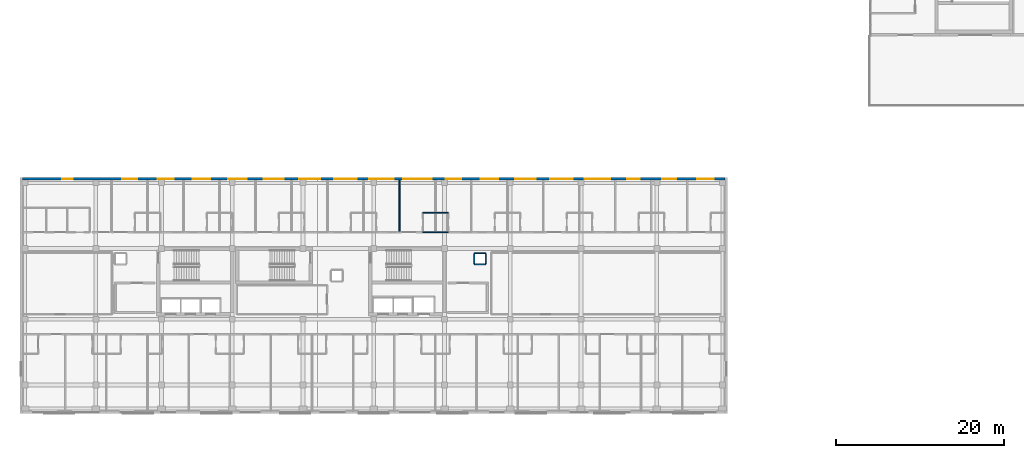
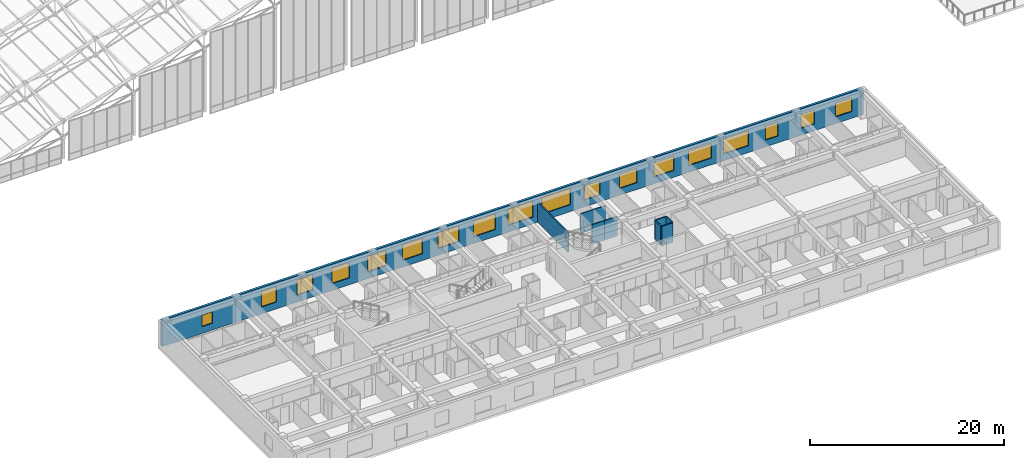
# One storey, part 137 of 144: 18 windows, 10 walls, 18 openings.
"""IFC4 building model written with IfcOpenShell, lengths in metres."""

import ifcopenshell
import ifcopenshell.guid

model = None  # the IFC model being written
_history = None  # IfcOwnerHistory: only IFC2X3 demands one
_inside = {}  # id of a spatial element -> (the spatial element, [elements in it])
_under = {}  # id of a project, library or spatial element -> (it, [spatial elements below it])
_declared = {}  # id of a project -> (the project, [libraries it declares])
_typed = {}  # id of a type object -> (the type object, [elements of that type])
_made_of = {}  # id of a material, layer set ... -> (it, [elements and type objects made of it])


def new_model(schema):
    """Start an empty IFC model of exactly this schema.

    Asked for "IFC4X3", IfcOpenShell would pick the latest addendum, in which some entities
    have other attributes; the version numbers below select the first issue.
    IFC2X3 requires an IfcOwnerHistory on every rooted entity: one is made here for all.
    """
    global model, _history
    if schema == "IFC4X3":
        model = ifcopenshell.file(schema_version=(4, 3, 0, 0))
    else:
        model = ifcopenshell.file(schema=schema)
    _inside.clear()
    _under.clear()
    _declared.clear()
    _typed.clear()
    _made_of.clear()
    _history = None
    if model.schema == "IFC2X3":
        org = make("IfcOrganization", Name="unknown")
        user = make(
            "IfcPersonAndOrganization",
            ThePerson=make("IfcPerson", FamilyName="unknown"),
            TheOrganization=org,
        )
        app = make(
            "IfcApplication",
            ApplicationDeveloper=org,
            Version="unknown",
            ApplicationFullName="unknown",
            ApplicationIdentifier="unknown",
        )
        _history = make(
            "IfcOwnerHistory",
            OwningUser=user,
            OwningApplication=app,
            ChangeAction="ADDED",
            CreationDate=0,
        )
    return model


def make(cls, **values):
    """One entity of the class cls with the attributes given. An attribute that is None is left unset."""
    return model.create_entity(
        cls, **{name: value for name, value in values.items() if value is not None}
    )


def rooted(cls, **values):
    """An entity with a GlobalId (a new one), such as an element, a storey or a relation."""
    return make(cls, GlobalId=ifcopenshell.guid.new(), OwnerHistory=_history, **values)


def si_unit(unit_type, name, prefix=None):
    """IfcSIUnit, for example si_unit("LENGTHUNIT", "METRE", prefix="MILLI")."""
    return make("IfcSIUnit", UnitType=unit_type, Prefix=prefix, Name=name)


def assignment(units):
    """IfcUnitAssignment: the units of a project."""
    return None if units is None else make("IfcUnitAssignment", Units=units)


def point(xyz):
    """IfcCartesianPoint."""
    return None if xyz is None else make("IfcCartesianPoint", Coordinates=xyz)


def direction(xyz):
    """IfcDirection."""
    return None if xyz is None else make("IfcDirection", DirectionRatios=xyz)


def frame(location, z_axis=None, x_axis=None):
    """IfcAxis2Placement3D, a coordinate frame: its origin and axes. An axis left out is left unset."""
    return make(
        "IfcAxis2Placement3D",
        Location=point(location),
        Axis=direction(z_axis),
        RefDirection=direction(x_axis),
    )


def frame_2d(location, x_axis=None):
    """IfcAxis2Placement2D, a coordinate frame in the plane: its origin and x axis."""
    return make(
        "IfcAxis2Placement2D", Location=point(location), RefDirection=direction(x_axis)
    )


def origin():
    """The frame at (0, 0, 0) with its axes left unset."""
    return frame((0.0, 0.0, 0.0))


def place(relative_to, where):
    """IfcLocalPlacement: puts the frame where relative to a parent placement (None: the world)."""
    return make(
        "IfcLocalPlacement", PlacementRelTo=relative_to, RelativePlacement=where
    )


def context(
    kind, dimensions, precision=None, world=None, true_north=None, identifier=None
):
    """IfcGeometricRepresentationContext, for example the 3D "Model" context."""
    return make(
        "IfcGeometricRepresentationContext",
        ContextIdentifier=identifier,
        ContextType=kind,
        CoordinateSpaceDimension=dimensions,
        Precision=precision,
        WorldCoordinateSystem=world,
        TrueNorth=true_north,
    )


def subcontext(parent, identifier, kind, view, scale=None):
    """IfcGeometricRepresentationSubContext, for example "Body" below "Model"."""
    return make(
        "IfcGeometricRepresentationSubContext",
        ContextIdentifier=identifier,
        ContextType=kind,
        ParentContext=parent,
        TargetScale=scale,
        TargetView=view,
    )


def project(units=None, contexts=None):
    """IfcProject with its units and contexts."""
    return rooted(
        "IfcProject",
        Name="project",
        RepresentationContexts=contexts,
        UnitsInContext=assignment(units),
    )


def spatial(cls, under=None, at=None, **own):
    """A site, building, storey or space (cls), placed at a placement, below another one or the project."""
    s = rooted(cls, ObjectPlacement=at, **own)
    if under is not None:
        _under.setdefault(under.id(), (under, []))[1].append(s)
    return s


def profile(cls, at=None, kind="AREA", **sizes):
    """A parametric profile (cls). Its sizes go by their IFC names, for example OverallWidth=200.0."""
    return make(cls, ProfileType=kind, Position=at, **sizes)


def rectangle(**sizes):
    """IfcRectangleProfileDef."""
    return profile("IfcRectangleProfileDef", **sizes)


def extrude(swept, where, along, depth):
    """IfcExtrudedAreaSolid: the profile swept, set in the frame where, extruded along a direction by depth."""
    return make(
        "IfcExtrudedAreaSolid",
        SweptArea=swept,
        Position=where,
        ExtrudedDirection=direction(along),
        Depth=depth,
    )


def shape(context_of_items, identifier, shape_type, items):
    """IfcShapeRepresentation: the items that make up one representation, for example the "Body"."""
    return make(
        "IfcShapeRepresentation",
        ContextOfItems=context_of_items,
        RepresentationIdentifier=identifier,
        RepresentationType=shape_type,
        Items=items,
    )


def material(Name=None, Category=None):
    """IfcMaterial."""
    return make("IfcMaterial", Name=Name, Category=Category)


def layer(
    of_material, thickness, ventilated=None, Name=None, Category=None, Priority=None
):
    """IfcMaterialLayer: one layer of a wall or slab, of a material (None: an air gap)."""
    return make(
        "IfcMaterialLayer",
        Material=of_material,
        LayerThickness=thickness,
        IsVentilated=ventilated,
        Name=Name,
        Category=Category,
        Priority=Priority,
    )


def layer_set(layers, Name=None):
    """IfcMaterialLayerSet."""
    return make("IfcMaterialLayerSet", MaterialLayers=layers, LayerSetName=Name)


def made_of(thing, what):
    """Note that an element or type object is made of a material, layer set ...; save() writes the relation."""
    if what is not None:
        _made_of.setdefault(what.id(), (what, []))[1].append(thing)
    return thing


def type_object(cls, material=None, **own):
    """A type object (cls), such as IfcWallType, which elements share."""
    return made_of(rooted(cls, **own), material)


def element(
    cls,
    number,
    at=None,
    inside=None,
    cuts=None,
    type_object=None,
    material=None,
    context=None,
    identifier="Body",
    shape_type=None,
    held_by="IfcProductDefinitionShape",
    body=None,
    shapes=None,
    **own,
):
    """One element of the class cls, such as IfcWall. Its Tag is "e" and its number.

    at: its placement. inside: the storey or other place that contains it. cuts: it is an
    opening in that element (IfcRelVoidsElement). A single representation is given by context,
    identifier, shape_type and body (its items); several are given by shapes. held_by: the class
    of the entity that holds the representations. save() writes the other relations.
    """
    e = rooted(cls, Tag="e%d" % number, ObjectPlacement=at, **own)
    if body is not None:
        shapes = [shape(context, identifier, shape_type, body)]
    if shapes is not None:
        e.Representation = make(held_by, Representations=shapes)
    if inside is not None:
        _inside.setdefault(inside.id(), (inside, []))[1].append(e)
    if cuts is not None:
        rooted(
            "IfcRelVoidsElement", RelatingBuildingElement=cuts, RelatedOpeningElement=e
        )
    if type_object is not None:
        _typed.setdefault(type_object.id(), (type_object, []))[1].append(e)
    return made_of(e, material)


def fill(opening, filler):
    """IfcRelFillsElement: the door or window that sits in an opening."""
    return rooted(
        "IfcRelFillsElement",
        RelatingOpeningElement=opening,
        RelatedBuildingElement=filler,
    )


def aggregate(whole, parts):
    """IfcRelAggregates: a whole, such as a stair, and the parts it consists of."""
    return rooted("IfcRelAggregates", RelatingObject=whole, RelatedObjects=parts)


def save(model, path):
    """Write the relations noted so far, then the file.

    IfcRelAggregates (storeys below a building ...), IfcRelContainedInSpatialStructure (elements
    in a storey), IfcRelDefinesByType, IfcRelAssociatesMaterial and IfcRelDeclares: one each for
    every whole, place, type object, material and project.
    """
    for whole, parts in _under.values():
        aggregate(whole, parts)
    for where, things in _inside.values():
        rooted(
            "IfcRelContainedInSpatialStructure",
            RelatedElements=things,
            RelatingStructure=where,
        )
    for kind, things in _typed.values():
        rooted("IfcRelDefinesByType", RelatedObjects=things, RelatingType=kind)
    for what, things in _made_of.values():
        rooted("IfcRelAssociatesMaterial", RelatedObjects=things, RelatingMaterial=what)
    for by, libraries in _declared.values():
        rooted("IfcRelDeclares", RelatingContext=by, RelatedDefinitions=libraries)
    model.write(path)


model = new_model("IFC4")

# Units and contexts
model_context = context("Model", 3, precision=1e-05, world=origin(), true_north=direction((0.0, 1.0)))
body_context = subcontext(model_context, "Body", "Model", "MODEL_VIEW")
ifc_project = project(units=[si_unit("LENGTHUNIT", "METRE"), si_unit("AREAUNIT", "SQUARE_METRE"), si_unit("VOLUMEUNIT", "CUBIC_METRE"), si_unit("PLANEANGLEUNIT", "RADIAN"), si_unit("MASSUNIT", "GRAM", prefix="KILO")], contexts=[model_context])

# Site, building, storey
site_placement = place(None, origin())
site = spatial("IfcSite", under=ifc_project, at=site_placement, CompositionType="ELEMENT")
building_placement = place(site_placement, origin())
building = spatial("IfcBuilding", under=site, at=building_placement, Name="Zayran Congress Hotel", CompositionType="ELEMENT")
storey_placement = place(building_placement, frame((0.0, 0.0, 19.199951171875)))
storey = spatial("IfcBuildingStorey", under=building, at=storey_placement, Name="L04", CompositionType="ELEMENT", Elevation=19.199951171875)

# Wall, openings, windows
ifc_material_1 = material(Name="Hajar Ma'ani limestone cavity wall and concrete C32/40", Category="masonry")
ifc_layer_1 = layer(ifc_material_1, 0.280029296875)
ifc_layer_set_1 = layer_set([ifc_layer_1], Name="Hajar Ma'ani limestone cavity wall and concrete C32/40")
wall_type_1 = type_object("IfcWallType", Name="WL-EX-280", PredefinedType="SOLIDWALL", material=ifc_layer_set_1)
wall_1_placement = place(storey_placement, frame((8.679931640625, 33.860107421875, 0.0), z_axis=(0.0, 0.0, 1.0), x_axis=(1.0, 0.0, 0.0)))
wall_1 = element("IfcWall", 1, at=wall_1_placement, inside=storey, type_object=wall_type_1, Name="EW-V5-N-L04", PredefinedType="SOLIDWALL", context=body_context, shape_type="SweptSolid", body=[
    extrude(rectangle(XDim=83.440185546875, YDim=0.280029296875, at=frame_2d((41.72021484375, 0.0))), origin(), (0.0, 0.0, 1.0), 3.320068359375),
])
opening_1_placement = place(wall_1_placement, frame((4.7451171875, 0.0, 0.85009765625)))
opening_1 = element("IfcOpeningElement", 2, at=opening_1_placement, cuts=wall_1, Name="Opening WN-23", PredefinedType="OPENING", context=body_context, shape_type="SweptSolid", body=[
    extrude(rectangle(XDim=1.25, YDim=1.449951171875, at=frame_2d((0.625, 0.72509765625))), frame((0.0, 0.14990234375, 0.0), z_axis=(0.0, -1.0, 0.0), x_axis=(1.0, 0.0, 0.0)), (0.0, 0.0, 1.0), 0.300048828125),
])
opening_2_placement = place(wall_1_placement, frame((11.845947265625, 0.0, 0.85009765625)))
opening_2 = element("IfcOpeningElement", 3, at=opening_2_placement, cuts=wall_1, Name="Opening WN-37", PredefinedType="OPENING", context=body_context, shape_type="SweptSolid", body=[
    extrude(rectangle(XDim=1.780029296875, YDim=1.949951171875, at=frame_2d((0.89013671875, 0.97509765625))), frame((0.0, 0.14990234375, 0.0), z_axis=(0.0, -1.0, 0.0), x_axis=(1.0, 0.0, 0.0)), (0.0, 0.0, 1.0), 0.300048828125),
])
opening_3_placement = place(wall_1_placement, frame((16.068115234375, 0.0, 0.85009765625)))
opening_3 = element("IfcOpeningElement", 4, at=opening_3_placement, cuts=wall_1, Name="Opening WN-38", PredefinedType="OPENING", context=body_context, shape_type="SweptSolid", body=[
    extrude(rectangle(XDim=1.8798828125, YDim=1.949951171875, at=frame_2d((0.93994140625, 0.97509765625))), frame((0.0, 0.14990234375, 0.0), z_axis=(0.0, -1.0, 0.0), x_axis=(1.0, 0.0, 0.0)), (0.0, 0.0, 1.0), 0.300048828125),
])
opening_4_placement = place(wall_1_placement, frame((20.2548828125, 0.0, 0.85009765625)))
opening_4 = element("IfcOpeningElement", 5, at=opening_4_placement, cuts=wall_1, Name="Opening WN-39", PredefinedType="OPENING", context=body_context, shape_type="SweptSolid", body=[
    extrude(rectangle(XDim=2.050048828125, YDim=1.949951171875, at=frame_2d((1.02490234375, 0.97509765625))), frame((0.0, 0.14990234375, 0.0), z_axis=(0.0, -1.0, 0.0), x_axis=(1.0, 0.0, 0.0)), (0.0, 0.0, 1.0), 0.300048828125),
])
opening_5_placement = place(wall_1_placement, frame((24.4609375, 0.0, 0.85009765625)))
opening_5 = element("IfcOpeningElement", 6, at=opening_5_placement, cuts=wall_1, Name="Opening WN-40", PredefinedType="OPENING", context=body_context, shape_type="SweptSolid", body=[
    extrude(rectangle(XDim=2.179931640625, YDim=1.949951171875, at=frame_2d((1.08984375, 0.97509765625))), frame((0.0, 0.14990234375, 0.0), z_axis=(0.0, -1.0, 0.0), x_axis=(1.0, 0.0, 0.0)), (0.0, 0.0, 1.0), 0.300048828125),
])
opening_6_placement = place(wall_1_placement, frame((28.633056640625, 0.0, 0.85009765625)))
opening_6 = element("IfcOpeningElement", 7, at=opening_6_placement, cuts=wall_1, Name="Opening WN-41", PredefinedType="OPENING", context=body_context, shape_type="SweptSolid", body=[
    extrude(rectangle(XDim=2.3798828125, YDim=1.949951171875, at=frame_2d((1.18994140625, 0.97509765625))), frame((0.0, 0.14990234375, 0.0), z_axis=(0.0, -1.0, 0.0), x_axis=(1.0, 0.0, 0.0)), (0.0, 0.0, 1.0), 0.300048828125),
])
opening_7_placement = place(wall_1_placement, frame((32.85498046875, 0.0, 0.85009765625)))
opening_7 = element("IfcOpeningElement", 8, at=opening_7_placement, cuts=wall_1, Name="Opening WN-42", PredefinedType="OPENING", context=body_context, shape_type="SweptSolid", body=[
    extrude(rectangle(XDim=2.47998046875, YDim=2.0, at=frame_2d((1.239990234375, 1.0))), frame((0.0, 0.14990234375, 0.0), z_axis=(0.0, -1.0, 0.0), x_axis=(1.0, 0.0, 0.0)), (0.0, 0.0, 1.0), 0.300048828125),
])
opening_8_placement = place(wall_1_placement, frame((37.041015625, 0.0, 0.85009765625)))
opening_8 = element("IfcOpeningElement", 9, at=opening_8_placement, cuts=wall_1, Name="Opening WN-43", PredefinedType="OPENING", context=body_context, shape_type="SweptSolid", body=[
    extrude(rectangle(XDim=2.64990234375, YDim=2.0, at=frame_2d((1.324951171875, 1.0))), frame((0.0, 0.14990234375, 0.0), z_axis=(0.0, -1.0, 0.0), x_axis=(1.0, 0.0, 0.0)), (0.0, 0.0, 1.0), 0.300048828125),
])
opening_9_placement = place(wall_1_placement, frame((41.1630859375, 0.0, 0.85009765625)))
opening_9 = element("IfcOpeningElement", 10, at=opening_9_placement, cuts=wall_1, Name="Opening WN-44", PredefinedType="OPENING", context=body_context, shape_type="SweptSolid", body=[
    extrude(rectangle(XDim=2.949951171875, YDim=2.050048828125, at=frame_2d((1.47509765625, 1.02490234375))), frame((0.0, 0.14990234375, 0.0), z_axis=(0.0, -1.0, 0.0), x_axis=(1.0, 0.0, 0.0)), (0.0, 0.0, 1.0), 0.300048828125),
])
opening_10_placement = place(wall_1_placement, frame((45.2099609375, 0.0, 0.85009765625)))
opening_10 = element("IfcOpeningElement", 11, at=opening_10_placement, cuts=wall_1, Name="Opening WN-45", PredefinedType="OPENING", context=body_context, shape_type="SweptSolid", body=[
    extrude(rectangle(XDim=3.39990234375, YDim=2.10009765625, at=frame_2d((1.699951171875, 1.050048828125))), frame((0.0, 0.14990234375, 0.0), z_axis=(0.0, -1.0, 0.0), x_axis=(1.0, 0.0, 0.0)), (0.0, 0.0, 1.0), 0.300048828125),
])
opening_11_placement = place(wall_1_placement, frame((50.281982421875, 0.0, 0.85009765625)))
opening_11 = element("IfcOpeningElement", 12, at=opening_11_placement, cuts=wall_1, Name="Opening WN-01", PredefinedType="OPENING", context=body_context, shape_type="SweptSolid", body=[
    extrude(rectangle(XDim=1.800048828125, YDim=1.800048828125, at=frame_2d((0.89990234375, 0.89990234375))), frame((0.0, 0.14990234375, 0.0), z_axis=(0.0, -1.0, 0.0), x_axis=(1.0, 0.0, 0.0)), (0.0, 0.0, 1.0), 0.300048828125),
])
opening_12_placement = place(wall_1_placement, frame((54.404052734375, 0.0, 0.85009765625)))
opening_12 = element("IfcOpeningElement", 13, at=opening_12_placement, cuts=wall_1, Name="Opening WN-02", PredefinedType="OPENING", context=body_context, shape_type="SweptSolid", body=[
    extrude(rectangle(XDim=2.10009765625, YDim=1.800048828125, at=frame_2d((1.050048828125, 0.89990234375))), frame((0.0, 0.14990234375, 0.0), z_axis=(0.0, -1.0, 0.0), x_axis=(1.0, 0.0, 0.0)), (0.0, 0.0, 1.0), 0.300048828125),
])
opening_13_placement = place(wall_1_placement, frame((58.52490234375, 0.0, 0.85009765625)))
opening_13 = element("IfcOpeningElement", 14, at=opening_13_placement, cuts=wall_1, Name="Opening WN-03", PredefinedType="OPENING", context=body_context, shape_type="SweptSolid", body=[
    extrude(rectangle(XDim=2.39990234375, YDim=1.800048828125, at=frame_2d((1.199951171875, 0.89990234375))), frame((0.0, 0.14990234375, 0.0), z_axis=(0.0, -1.0, 0.0), x_axis=(1.0, 0.0, 0.0)), (0.0, 0.0, 1.0), 0.300048828125),
])
opening_14_placement = place(wall_1_placement, frame((62.64697265625, 0.0, 0.85009765625)))
opening_14 = element("IfcOpeningElement", 15, at=opening_14_placement, cuts=wall_1, Name="Opening WN-04", PredefinedType="OPENING", context=body_context, shape_type="SweptSolid", body=[
    extrude(rectangle(XDim=2.699951171875, YDim=1.85009765625, at=frame_2d((1.35009765625, 0.925048828125))), frame((0.0, 0.14990234375, 0.0), z_axis=(0.0, -1.0, 0.0), x_axis=(1.0, 0.0, 0.0)), (0.0, 0.0, 1.0), 0.300048828125),
])
opening_15_placement = place(wall_1_placement, frame((66.76904296875, 0.0, 0.85009765625)))
opening_15 = element("IfcOpeningElement", 16, at=opening_15_placement, cuts=wall_1, Name="Opening WN-05", PredefinedType="OPENING", context=body_context, shape_type="SweptSolid", body=[
    extrude(rectangle(XDim=3.0, YDim=1.89990234375, at=frame_2d((1.5, 0.949951171875))), frame((0.0, 0.14990234375, 0.0), z_axis=(0.0, -1.0, 0.0), x_axis=(1.0, 0.0, 0.0)), (0.0, 0.0, 1.0), 0.300048828125),
])
opening_16_placement = place(wall_1_placement, frame((71.791015625, 0.0, 0.85009765625)))
opening_16 = element("IfcOpeningElement", 17, at=opening_16_placement, cuts=wall_1, Name="Opening WN-06", PredefinedType="OPENING", context=body_context, shape_type="SweptSolid", body=[
    extrude(rectangle(XDim=1.5, YDim=1.75, at=frame_2d((0.75, 0.875))), frame((0.0, 0.14990234375, 0.0), z_axis=(0.0, -1.0, 0.0), x_axis=(1.0, 0.0, 0.0)), (0.0, 0.0, 1.0), 0.300048828125),
])
opening_17_placement = place(wall_1_placement, frame((75.987060546875, 0.0, 0.85009765625)))
opening_17 = element("IfcOpeningElement", 18, at=opening_17_placement, cuts=wall_1, Name="Opening WN-07", PredefinedType="OPENING", context=body_context, shape_type="SweptSolid", body=[
    extrude(rectangle(XDim=1.64990234375, YDim=1.75, at=frame_2d((0.824951171875, 0.875))), frame((0.0, 0.14990234375, 0.0), z_axis=(0.0, -1.0, 0.0), x_axis=(1.0, 0.0, 0.0)), (0.0, 0.0, 1.0), 0.300048828125),
])
opening_18_placement = place(wall_1_placement, frame((80.10888671875, 0.0, 0.85009765625)))
opening_18 = element("IfcOpeningElement", 19, at=opening_18_placement, cuts=wall_1, Name="Opening WN-08", PredefinedType="OPENING", context=body_context, shape_type="SweptSolid", body=[
    extrude(rectangle(XDim=1.949951171875, YDim=1.75, at=frame_2d((0.97509765625, 0.875))), frame((0.0, 0.14990234375, 0.0), z_axis=(0.0, -1.0, 0.0), x_axis=(1.0, 0.0, 0.0)), (0.0, 0.0, 1.0), 0.300048828125),
])
ifc_material_2 = material(Name="Anodised aluminium and low-E insulated glass", Category="aluminium")
window_type_1 = type_object("IfcWindowType", Name="TP-WN-01", PartitioningType="SINGLE_PANEL", PredefinedType="WINDOW", material=ifc_material_2)
window_1_placement = place(opening_11_placement, origin())
window_1 = element("IfcWindow", 20, at=window_1_placement, inside=storey, type_object=window_type_1, Name="WIN-V5N-L04-0294", OverallHeight=1.800048828125, OverallWidth=1.800048828125, PartitioningType="SINGLE_PANEL", PredefinedType="WINDOW", context=body_context, shape_type="SweptSolid", body=[
    extrude(rectangle(XDim=1.800048828125, YDim=1.800048828125, at=frame_2d((0.89990234375, 0.89990234375))), frame((0.0, 0.030029296875, 0.0), z_axis=(0.0, -1.0, 0.0), x_axis=(1.0, 0.0, 0.0)), (0.0, 0.0, 1.0), 0.06005859375),
])
fill(opening_11, window_1)
window_type_2 = type_object("IfcWindowType", Name="TP-WN-02", PartitioningType="DOUBLE_PANEL_VERTICAL", PredefinedType="WINDOW", material=ifc_material_2)
window_2_placement = place(opening_12_placement, origin())
window_2 = element("IfcWindow", 21, at=window_2_placement, inside=storey, type_object=window_type_2, Name="WIN-V5N-L04-0295", OverallHeight=1.800048828125, OverallWidth=2.10009765625, PartitioningType="SINGLE_PANEL", PredefinedType="WINDOW", context=body_context, shape_type="SweptSolid", body=[
    extrude(rectangle(XDim=2.10009765625, YDim=1.800048828125, at=frame_2d((1.050048828125, 0.89990234375))), frame((0.0, 0.030029296875, 0.0), z_axis=(0.0, -1.0, 0.0), x_axis=(1.0, 0.0, 0.0)), (0.0, 0.0, 1.0), 0.06005859375),
])
fill(opening_12, window_2)
window_type_3 = type_object("IfcWindowType", Name="TP-WN-03", PartitioningType="DOUBLE_PANEL_VERTICAL", PredefinedType="WINDOW", material=ifc_material_2)
window_3_placement = place(opening_13_placement, origin())
window_3 = element("IfcWindow", 22, at=window_3_placement, inside=storey, type_object=window_type_3, Name="WIN-V5N-L04-0296", OverallHeight=1.800048828125, OverallWidth=2.39990234375, PartitioningType="SINGLE_PANEL", PredefinedType="WINDOW", context=body_context, shape_type="SweptSolid", body=[
    extrude(rectangle(XDim=2.39990234375, YDim=1.800048828125, at=frame_2d((1.199951171875, 0.89990234375))), frame((0.0, 0.030029296875, 0.0), z_axis=(0.0, -1.0, 0.0), x_axis=(1.0, 0.0, 0.0)), (0.0, 0.0, 1.0), 0.06005859375),
])
fill(opening_13, window_3)
window_type_4 = type_object("IfcWindowType", Name="TP-WN-04", PartitioningType="TRIPLE_PANEL_VERTICAL", PredefinedType="WINDOW", material=ifc_material_2)
window_4_placement = place(opening_14_placement, origin())
window_4 = element("IfcWindow", 23, at=window_4_placement, inside=storey, type_object=window_type_4, Name="WIN-V5N-L04-0297", OverallHeight=1.85009765625, OverallWidth=2.699951171875, PartitioningType="SINGLE_PANEL", PredefinedType="WINDOW", context=body_context, shape_type="SweptSolid", body=[
    extrude(rectangle(XDim=2.699951171875, YDim=1.85009765625, at=frame_2d((1.35009765625, 0.925048828125))), frame((0.0, 0.030029296875, 0.0), z_axis=(0.0, -1.0, 0.0), x_axis=(1.0, 0.0, 0.0)), (0.0, 0.0, 1.0), 0.06005859375),
])
fill(opening_14, window_4)
window_type_5 = type_object("IfcWindowType", Name="TP-WN-05", PartitioningType="TRIPLE_PANEL_VERTICAL", PredefinedType="WINDOW", material=ifc_material_2)
window_5_placement = place(opening_15_placement, origin())
window_5 = element("IfcWindow", 24, at=window_5_placement, inside=storey, type_object=window_type_5, Name="WIN-V5N-L04-0298", OverallHeight=1.89990234375, OverallWidth=3.0, PartitioningType="SINGLE_PANEL", PredefinedType="WINDOW", context=body_context, shape_type="SweptSolid", body=[
    extrude(rectangle(XDim=3.0, YDim=1.89990234375, at=frame_2d((1.5, 0.949951171875))), frame((0.0, 0.030029296875, 0.0), z_axis=(0.0, -1.0, 0.0), x_axis=(1.0, 0.0, 0.0)), (0.0, 0.0, 1.0), 0.06005859375),
])
fill(opening_15, window_5)
window_type_6 = type_object("IfcWindowType", Name="TP-WN-06", PartitioningType="SINGLE_PANEL", PredefinedType="WINDOW", material=ifc_material_2)
window_6_placement = place(opening_16_placement, origin())
window_6 = element("IfcWindow", 25, at=window_6_placement, inside=storey, type_object=window_type_6, Name="WIN-V5N-L04-0299", OverallHeight=1.75, OverallWidth=1.5, PartitioningType="SINGLE_PANEL", PredefinedType="WINDOW", context=body_context, shape_type="SweptSolid", body=[
    extrude(rectangle(XDim=1.5, YDim=1.75, at=frame_2d((0.75, 0.875))), frame((0.0, 0.030029296875, 0.0), z_axis=(0.0, -1.0, 0.0), x_axis=(1.0, 0.0, 0.0)), (0.0, 0.0, 1.0), 0.06005859375),
])
fill(opening_16, window_6)
window_type_7 = type_object("IfcWindowType", Name="TP-WN-07", PartitioningType="SINGLE_PANEL", PredefinedType="WINDOW", material=ifc_material_2)
window_7_placement = place(opening_17_placement, origin())
window_7 = element("IfcWindow", 26, at=window_7_placement, inside=storey, type_object=window_type_7, Name="WIN-V5N-L04-0300", OverallHeight=1.75, OverallWidth=1.64990234375, PartitioningType="SINGLE_PANEL", PredefinedType="WINDOW", context=body_context, shape_type="SweptSolid", body=[
    extrude(rectangle(XDim=1.64990234375, YDim=1.75, at=frame_2d((0.824951171875, 0.875))), frame((0.0, 0.030029296875, 0.0), z_axis=(0.0, -1.0, 0.0), x_axis=(1.0, 0.0, 0.0)), (0.0, 0.0, 1.0), 0.06005859375),
])
fill(opening_17, window_7)
window_type_8 = type_object("IfcWindowType", Name="TP-WN-08", PartitioningType="DOUBLE_PANEL_VERTICAL", PredefinedType="WINDOW", material=ifc_material_2)
window_8_placement = place(opening_18_placement, origin())
window_8 = element("IfcWindow", 27, at=window_8_placement, inside=storey, type_object=window_type_8, Name="WIN-V5N-L04-0301", OverallHeight=1.75, OverallWidth=1.949951171875, PartitioningType="SINGLE_PANEL", PredefinedType="WINDOW", context=body_context, shape_type="SweptSolid", body=[
    extrude(rectangle(XDim=1.949951171875, YDim=1.75, at=frame_2d((0.97509765625, 0.875))), frame((0.0, 0.030029296875, 0.0), z_axis=(0.0, -1.0, 0.0), x_axis=(1.0, 0.0, 0.0)), (0.0, 0.0, 1.0), 0.06005859375),
])
fill(opening_18, window_8)
window_type_9 = type_object("IfcWindowType", Name="TP-WN-23", PartitioningType="SINGLE_PANEL", PredefinedType="WINDOW", material=ifc_material_2)
window_9_placement = place(opening_1_placement, origin())
window_9 = element("IfcWindow", 28, at=window_9_placement, inside=storey, type_object=window_type_9, Name="WIN-V5N-L04-0284", OverallHeight=1.449951171875, OverallWidth=1.25, PartitioningType="SINGLE_PANEL", PredefinedType="WINDOW", context=body_context, shape_type="SweptSolid", body=[
    extrude(rectangle(XDim=1.25, YDim=1.449951171875, at=frame_2d((0.625, 0.72509765625))), frame((0.0, 0.030029296875, 0.0), z_axis=(0.0, -1.0, 0.0), x_axis=(1.0, 0.0, 0.0)), (0.0, 0.0, 1.0), 0.06005859375),
])
fill(opening_1, window_9)
window_type_10 = type_object("IfcWindowType", Name="TP-WN-37", PartitioningType="DOUBLE_PANEL_VERTICAL", PredefinedType="WINDOW", material=ifc_material_2)
window_10_placement = place(opening_2_placement, origin())
window_10 = element("IfcWindow", 29, at=window_10_placement, inside=storey, type_object=window_type_10, Name="WIN-V5N-L04-0285", OverallHeight=1.949951171875, OverallWidth=1.780029296875, PartitioningType="SINGLE_PANEL", PredefinedType="WINDOW", context=body_context, shape_type="SweptSolid", body=[
    extrude(rectangle(XDim=1.780029296875, YDim=1.949951171875, at=frame_2d((0.89013671875, 0.97509765625))), frame((0.0, 0.030029296875, 0.0), z_axis=(0.0, -1.0, 0.0), x_axis=(1.0, 0.0, 0.0)), (0.0, 0.0, 1.0), 0.06005859375),
])
fill(opening_2, window_10)
window_type_11 = type_object("IfcWindowType", Name="TP-WN-38", PartitioningType="DOUBLE_PANEL_VERTICAL", PredefinedType="WINDOW", material=ifc_material_2)
window_11_placement = place(opening_3_placement, origin())
window_11 = element("IfcWindow", 30, at=window_11_placement, inside=storey, type_object=window_type_11, Name="WIN-V5N-L04-0286", OverallHeight=1.949951171875, OverallWidth=1.8798828125, PartitioningType="SINGLE_PANEL", PredefinedType="WINDOW", context=body_context, shape_type="SweptSolid", body=[
    extrude(rectangle(XDim=1.8798828125, YDim=1.949951171875, at=frame_2d((0.93994140625, 0.97509765625))), frame((0.0, 0.030029296875, 0.0), z_axis=(0.0, -1.0, 0.0), x_axis=(1.0, 0.0, 0.0)), (0.0, 0.0, 1.0), 0.06005859375),
])
fill(opening_3, window_11)
window_type_12 = type_object("IfcWindowType", Name="TP-WN-39", PartitioningType="DOUBLE_PANEL_VERTICAL", PredefinedType="WINDOW", material=ifc_material_2)
window_12_placement = place(opening_4_placement, origin())
window_12 = element("IfcWindow", 31, at=window_12_placement, inside=storey, type_object=window_type_12, Name="WIN-V5N-L04-0287", OverallHeight=1.949951171875, OverallWidth=2.050048828125, PartitioningType="SINGLE_PANEL", PredefinedType="WINDOW", context=body_context, shape_type="SweptSolid", body=[
    extrude(rectangle(XDim=2.050048828125, YDim=1.949951171875, at=frame_2d((1.02490234375, 0.97509765625))), frame((0.0, 0.030029296875, 0.0), z_axis=(0.0, -1.0, 0.0), x_axis=(1.0, 0.0, 0.0)), (0.0, 0.0, 1.0), 0.06005859375),
])
fill(opening_4, window_12)
window_type_13 = type_object("IfcWindowType", Name="TP-WN-40", PartitioningType="DOUBLE_PANEL_VERTICAL", PredefinedType="WINDOW", material=ifc_material_2)
window_13_placement = place(opening_5_placement, origin())
window_13 = element("IfcWindow", 32, at=window_13_placement, inside=storey, type_object=window_type_13, Name="WIN-V5N-L04-0288", OverallHeight=1.949951171875, OverallWidth=2.179931640625, PartitioningType="SINGLE_PANEL", PredefinedType="WINDOW", context=body_context, shape_type="SweptSolid", body=[
    extrude(rectangle(XDim=2.179931640625, YDim=1.949951171875, at=frame_2d((1.08984375, 0.97509765625))), frame((0.0, 0.030029296875, 0.0), z_axis=(0.0, -1.0, 0.0), x_axis=(1.0, 0.0, 0.0)), (0.0, 0.0, 1.0), 0.06005859375),
])
fill(opening_5, window_13)
window_type_14 = type_object("IfcWindowType", Name="TP-WN-41", PartitioningType="DOUBLE_PANEL_VERTICAL", PredefinedType="WINDOW", material=ifc_material_2)
window_14_placement = place(opening_6_placement, origin())
window_14 = element("IfcWindow", 33, at=window_14_placement, inside=storey, type_object=window_type_14, Name="WIN-V5N-L04-0289", OverallHeight=1.949951171875, OverallWidth=2.3798828125, PartitioningType="SINGLE_PANEL", PredefinedType="WINDOW", context=body_context, shape_type="SweptSolid", body=[
    extrude(rectangle(XDim=2.3798828125, YDim=1.949951171875, at=frame_2d((1.18994140625, 0.97509765625))), frame((0.0, 0.030029296875, 0.0), z_axis=(0.0, -1.0, 0.0), x_axis=(1.0, 0.0, 0.0)), (0.0, 0.0, 1.0), 0.06005859375),
])
fill(opening_6, window_14)
window_type_15 = type_object("IfcWindowType", Name="TP-WN-42", PartitioningType="DOUBLE_PANEL_VERTICAL", PredefinedType="WINDOW", material=ifc_material_2)
window_15_placement = place(opening_7_placement, origin())
window_15 = element("IfcWindow", 34, at=window_15_placement, inside=storey, type_object=window_type_15, Name="WIN-V5N-L04-0290", OverallHeight=2.0, OverallWidth=2.47998046875, PartitioningType="SINGLE_PANEL", PredefinedType="WINDOW", context=body_context, shape_type="SweptSolid", body=[
    extrude(rectangle(XDim=2.47998046875, YDim=2.0, at=frame_2d((1.239990234375, 1.0))), frame((0.0, 0.030029296875, 0.0), z_axis=(0.0, -1.0, 0.0), x_axis=(1.0, 0.0, 0.0)), (0.0, 0.0, 1.0), 0.06005859375),
])
fill(opening_7, window_15)
window_type_16 = type_object("IfcWindowType", Name="TP-WN-43", PartitioningType="TRIPLE_PANEL_VERTICAL", PredefinedType="WINDOW", material=ifc_material_2)
window_16_placement = place(opening_8_placement, origin())
window_16 = element("IfcWindow", 35, at=window_16_placement, inside=storey, type_object=window_type_16, Name="WIN-V5N-L04-0291", OverallHeight=2.0, OverallWidth=2.64990234375, PartitioningType="SINGLE_PANEL", PredefinedType="WINDOW", context=body_context, shape_type="SweptSolid", body=[
    extrude(rectangle(XDim=2.64990234375, YDim=2.0, at=frame_2d((1.324951171875, 1.0))), frame((0.0, 0.030029296875, 0.0), z_axis=(0.0, -1.0, 0.0), x_axis=(1.0, 0.0, 0.0)), (0.0, 0.0, 1.0), 0.06005859375),
])
fill(opening_8, window_16)
window_type_17 = type_object("IfcWindowType", Name="TP-WN-44", PartitioningType="TRIPLE_PANEL_VERTICAL", PredefinedType="WINDOW", material=ifc_material_2)
window_17_placement = place(opening_9_placement, origin())
window_17 = element("IfcWindow", 36, at=window_17_placement, inside=storey, type_object=window_type_17, Name="WIN-V5N-L04-0292", OverallHeight=2.050048828125, OverallWidth=2.949951171875, PartitioningType="SINGLE_PANEL", PredefinedType="WINDOW", context=body_context, shape_type="SweptSolid", body=[
    extrude(rectangle(XDim=2.949951171875, YDim=2.050048828125, at=frame_2d((1.47509765625, 1.02490234375))), frame((0.0, 0.030029296875, 0.0), z_axis=(0.0, -1.0, 0.0), x_axis=(1.0, 0.0, 0.0)), (0.0, 0.0, 1.0), 0.06005859375),
])
fill(opening_9, window_17)
window_type_18 = type_object("IfcWindowType", Name="TP-WN-45", PartitioningType="TRIPLE_PANEL_VERTICAL", PredefinedType="WINDOW", material=ifc_material_2)
window_18_placement = place(opening_10_placement, origin())
window_18 = element("IfcWindow", 37, at=window_18_placement, inside=storey, type_object=window_type_18, Name="WIN-V5N-L04-0293", OverallHeight=2.10009765625, OverallWidth=3.39990234375, PartitioningType="SINGLE_PANEL", PredefinedType="WINDOW", context=body_context, shape_type="SweptSolid", body=[
    extrude(rectangle(XDim=3.39990234375, YDim=2.10009765625, at=frame_2d((1.699951171875, 1.050048828125))), frame((0.0, 0.030029296875, 0.0), z_axis=(0.0, -1.0, 0.0), x_axis=(1.0, 0.0, 0.0)), (0.0, 0.0, 1.0), 0.06005859375),
])
fill(opening_10, window_18)

# Walls
ifc_material_3 = material(Name="Hospitality guestroom acoustic partition", Category="gypsum")
ifc_layer_2 = layer(ifc_material_3, 0.139892578125)
ifc_layer_set_2 = layer_set([ifc_layer_2], Name="Hospitality guestroom acoustic partition")
wall_type_2 = type_object("IfcWallType", Name="WL-PT-140", PredefinedType="PARTITIONING", material=ifc_layer_set_2)
wall_2_placement = place(storey_placement, frame((53.444091796875, 27.52001953125, 0.0), z_axis=(0.0, 0.0, 1.0), x_axis=(0.0, 1.0, 0.0)))
element("IfcWall", 38, at=wall_2_placement, inside=storey, type_object=wall_type_2, Name="IW-L04-1969", PredefinedType="PARTITIONING", context=body_context, shape_type="SweptSolid", body=[
    extrude(rectangle(XDim=6.199951171875, YDim=0.139892578125, at=frame_2d((3.10009765625, 0.0))), origin(), (0.0, 0.0, 1.0), 2.47998046875),
])
for number, where, z_axis, x_axis, name in (
    (39, (62.330078125, 23.72998046875, 0.0), (0.0, 0.0, 1.0), (1.0, 0.0, 0.0), "RSWL-V5-L04-037-S"),
    (40, (63.68994140625, 25.050048828125, 0.0), (0.0, 0.0, 1.0), (-1.0, 0.0, 0.0), "RSWL-V5-L04-037-N"),
):
    element("IfcWall", number, at=place(storey_placement, frame(where, z_axis=z_axis, x_axis=x_axis)), inside=storey, type_object=wall_type_2, Name=name, PredefinedType="PARTITIONING", context=body_context, shape_type="SweptSolid", body=[
        extrude(rectangle(XDim=1.35986328125, YDim=0.139892578125, at=frame_2d((0.679931640625, 0.0))), origin(), (0.0, 0.0, 1.0), 2.43994140625),
    ])
for number, where, z_axis, x_axis, name in (
    (41, (62.330078125, 24.97998046875, 0.0), (0.0, 0.0, 1.0), (0.0, -1.0, 0.0), "RSWL-V5-L04-037-W"),
    (42, (63.68994140625, 23.800048828125, 0.0), (0.0, 0.0, 1.0), (0.0, 1.0, 0.0), "RSWL-V5-L04-037-E"),
):
    element("IfcWall", number, at=place(storey_placement, frame(where, z_axis=z_axis, x_axis=x_axis)), inside=storey, type_object=wall_type_2, Name=name, PredefinedType="PARTITIONING", context=body_context, shape_type="SweptSolid", body=[
        extrude(rectangle(XDim=1.179931640625, YDim=0.139892578125, at=frame_2d((0.58984375, 0.0))), origin(), (0.0, 0.0, 1.0), 2.43994140625),
    ])
ifc_material_4 = material(Name="Moisture-resistant bathroom partition", Category="gypsum")
ifc_layer_3 = layer(ifc_material_4, 0.1201171875)
ifc_layer_set_3 = layer_set([ifc_layer_3], Name="Moisture-resistant bathroom partition")
wall_type_3 = type_object("IfcWallType", Name="WL-PT-120", PredefinedType="PARTITIONING", material=ifc_layer_set_3)
for number, where, z_axis, x_axis, name in (
    (43, (56.208984375, 27.530029296875, 0.0), (0.0, 0.0, 1.0), (1.0, 0.0, 0.0), "IW-L04-1171"),
    (44, (56.208984375, 29.820068359375, 0.0), (0.0, 0.0, 1.0), (1.0, 0.0, 0.0), "IW-L04-1172"),
):
    element("IfcWall", number, at=place(storey_placement, frame(where, z_axis=z_axis, x_axis=x_axis)), inside=storey, type_object=wall_type_3, Name=name, PredefinedType="PARTITIONING", context=body_context, shape_type="SweptSolid", body=[
        extrude(rectangle(XDim=1.51708984375, YDim=0.1201171875, at=frame_2d((0.758544921875, 0.0))), origin(), (0.0, 0.0, 1.0), 2.47998046875),
    ])
wall_3_placement = place(storey_placement, frame((57.72607421875, 27.530029296875, 0.0), z_axis=(0.0, 0.0, 1.0), x_axis=(1.0, 0.0, 0.0)))
element("IfcWall", 45, at=wall_3_placement, inside=storey, type_object=wall_type_3, Name="IW-L04-1173", PredefinedType="PARTITIONING", context=body_context, shape_type="SweptSolid", body=[
    extrude(rectangle(XDim=1.5068359375, YDim=0.1201171875, at=frame_2d((0.75341796875, 0.0))), origin(), (0.0, 0.0, 1.0), 2.47998046875),
])
wall_4_placement = place(storey_placement, frame((57.72607421875, 29.820068359375, 0.0), z_axis=(0.0, 0.0, 1.0), x_axis=(1.0, 0.0, 0.0)))
element("IfcWall", 46, at=wall_4_placement, inside=storey, type_object=wall_type_3, Name="IW-L04-1174", PredefinedType="PARTITIONING", context=body_context, shape_type="SweptSolid", body=[
    extrude(rectangle(XDim=1.516845703125, YDim=0.1201171875, at=frame_2d((0.75830078125, 0.0))), origin(), (0.0, 0.0, 1.0), 2.47998046875),
])

save(model, "model.ifc")
